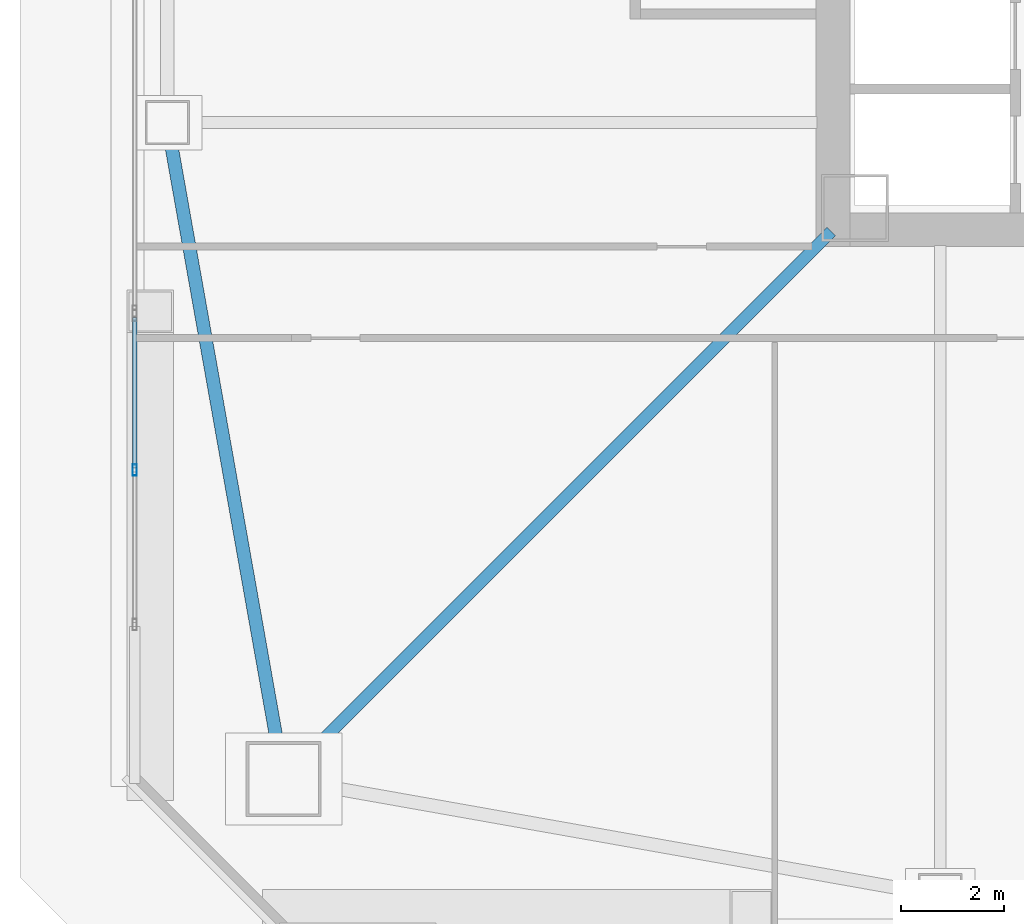
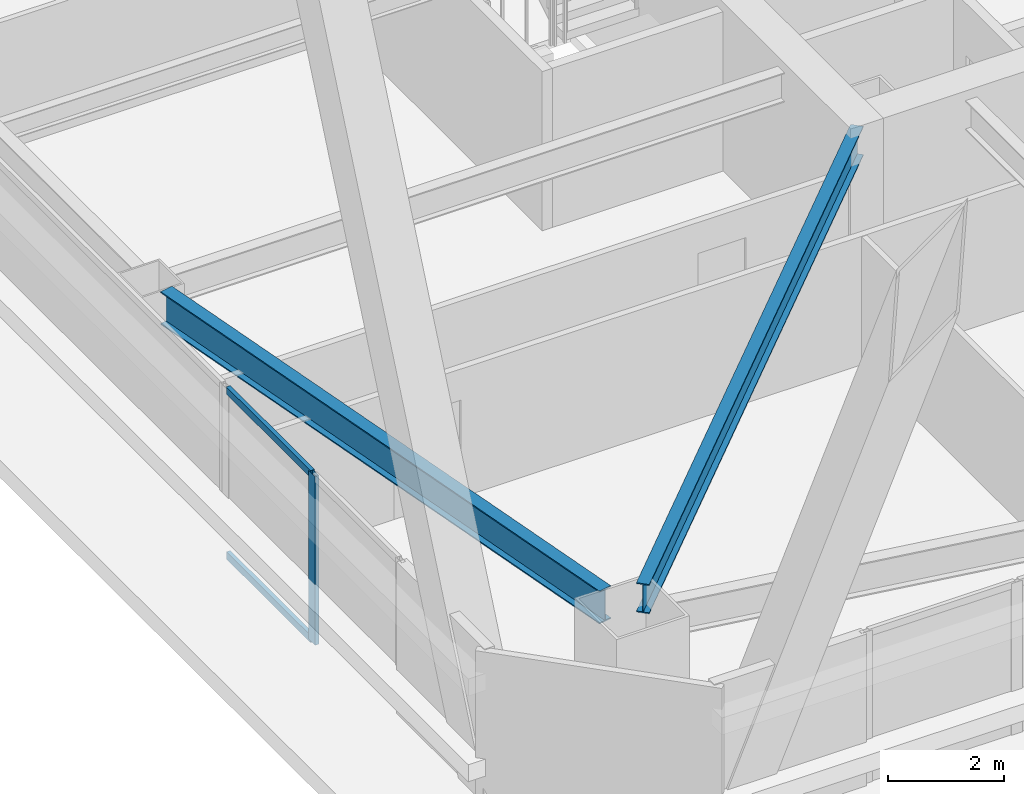
# One storey, part 7 of 67: 3 members, 2 beams, 1 element without a shape of its own.
"""IFC4 building model written with IfcOpenShell, lengths in metres."""

from ifc_helpers import new_model, si_unit, direction, frame, origin, origin_2d, place, context, subcontext, project, spatial, hollow_rectangle, i_section, extrude, material, material_profile, profile_set, type_object, element, aggregate, save


model = new_model("IFC4")

# Units and contexts
model_context = context("Model", 3, precision=1e-05, world=origin(), true_north=direction((0.0, 1.0)))
body_context = subcontext(model_context, "Body", "Model", "MODEL_VIEW")
ifc_project = project(units=[si_unit("LENGTHUNIT", "METRE"), si_unit("AREAUNIT", "SQUARE_METRE"), si_unit("VOLUMEUNIT", "CUBIC_METRE"), si_unit("PLANEANGLEUNIT", "RADIAN"), si_unit("MASSUNIT", "GRAM", prefix="KILO")], contexts=[model_context])

# Site, building, storey
site_placement = place(None, origin())
site = spatial("IfcSite", under=ifc_project, at=site_placement, CompositionType="ELEMENT")
building_placement = place(site_placement, origin())
building = spatial("IfcBuilding", under=site, at=building_placement, Name="Tashvorn Skyway Center", CompositionType="ELEMENT")
storey_placement = place(building_placement, frame((0.0, 0.0, 67.199951171875)))
storey = spatial("IfcBuildingStorey", under=building, at=storey_placement, Name="L17", CompositionType="ELEMENT", Elevation=67.199951171875)

# Beams
ifc_material_1 = material(Name="Steel ASTM A992 Grade 50", Category="steel")
ifc_material_profile_1 = material_profile(ifc_material_1, i_section(OverallWidth=0.22998046875, OverallDepth=0.616943359375, WebThickness=0.01318359375, FlangeThickness=0.022216796875, at=origin_2d()), Name="W24X94")
ifc_profile_set_1 = profile_set([ifc_material_profile_1], Name="Steel ASTM A992 Grade 50")
beam_type_1 = type_object("IfcBeamType", Name="BM-BEAM-W24X94", PredefinedType="BEAM", material=ifc_profile_set_1)
beam_1_placement = place(storey_placement, frame((24.4091796875, 14.4091796875, 3.04150390625), z_axis=(0.707106781187, 0.707106781187, 0.0), x_axis=(-0.707106781187, 0.707106781187, 0.0)))
element("IfcBeam", 1, at=beam_1_placement, inside=storey, type_object=beam_type_1, Name="Tower 1 L17 Primary Floor Girder MC-SW", PredefinedType="BEAM", context=body_context, shape_type="SweptSolid", body=[
    extrude(i_section(OverallWidth=0.22998046875, OverallDepth=0.616943359375, WebThickness=0.01318359375, FlangeThickness=0.022216796875, at=origin_2d()), origin(), (0.0, 0.0, 1.0), 14.261962890625),
])
ifc_material_profile_2 = material_profile(ifc_material_1, i_section(OverallWidth=0.256103515625, OverallDepth=0.693115234375, WebThickness=0.014404296875, FlangeThickness=0.023681640625, at=origin_2d()), Name="W27X114")
ifc_profile_set_2 = profile_set([ifc_material_profile_2], Name="Steel ASTM A992 Grade 50")
beam_type_2 = type_object("IfcBeamType", Name="BM-SPANDREL-W27X114", PredefinedType="SPANDREL", material=ifc_profile_set_2)
beam_2_placement = place(storey_placement, frame((21.723388671875, 26.1865234375, 3.003662109375), z_axis=(0.174437966698, -0.98466816531, 0.0), x_axis=(0.98466816531, 0.174437966698, 0.0)))
element("IfcBeam", 2, at=beam_2_placement, inside=storey, type_object=beam_type_2, Name="Tower 1 L17 Spandrel Beam 12", PredefinedType="SPANDREL", context=body_context, shape_type="SweptSolid", body=[
    extrude(i_section(OverallWidth=0.256103515625, OverallDepth=0.693115234375, WebThickness=0.014404296875, FlangeThickness=0.023681640625, at=origin_2d()), origin(), (0.0, 0.0, 1.0), 11.7578125),
])

# Curtain wall, members
ifc_material_2 = material(Name="Thermally broken bronze-anodized aluminium 6063-T6", Category="aluminium")
curtain_wall_type = type_object("IfcCurtainWallType", Name="CW-CW-Z2", PredefinedType="NOTDEFINED", material=ifc_material_2)
curtain_wall_placement = place(storey_placement, origin())
curtain_wall = element("IfcCurtainWall", 3, at=curtain_wall_placement, inside=storey, type_object=curtain_wall_type, Name="Tower 1 L17 West Unitised Curtain Wall Glazing Group 1", PredefinedType="NOTDEFINED")
ifc_material_profile_3 = material_profile(ifc_material_2, hollow_rectangle(XDim=0.080078125, YDim=0.219970703125, WallThickness=0.0048828125, at=origin_2d()), Name="ALU-MULL-80x220")
ifc_profile_set_3 = profile_set([ifc_material_profile_3], Name="Thermally broken bronze-anodized aluminium 6063-T6")
member_type_1 = type_object("IfcMemberType", Name="CWM-CW-Z2", PredefinedType="MULLION", material=ifc_profile_set_3)
member_1_placement = place(storey_placement, frame((21.02001953125, 19.8798828125, 0.0), z_axis=(0.0, 0.0, 1.0), x_axis=(-1.0, 0.0, 0.0)))
member_1 = element("IfcMember", 4, at=member_1_placement, type_object=member_type_1, Name="CW-Z2 mullion 2", PredefinedType="MULLION", context=body_context, shape_type="SweptSolid", body=[
    extrude(hollow_rectangle(XDim=0.080078125, YDim=0.219970703125, WallThickness=0.0048828125, at=origin_2d()), origin(), (0.0, 0.0, 1.0), 3.550048828125),
])
ifc_material_profile_4 = material_profile(ifc_material_2, hollow_rectangle(XDim=0.080078125, YDim=0.14990234375, WallThickness=0.00439453125, at=origin_2d()), Name="ALU-TRAN-80x150")
ifc_profile_set_4 = profile_set([ifc_material_profile_4], Name="Thermally broken bronze-anodized aluminium 6063-T6")
member_type_2 = type_object("IfcMemberType", Name="CWT-CW-Z2", PredefinedType="USERDEFINED", material=ifc_profile_set_4)
member_2_placement = place(storey_placement, frame((21.02001953125, 19.919921875, 0.0400390625), z_axis=(0.0, 1.0, 0.0), x_axis=(-1.0, 0.0, 0.0)))
member_2 = element("IfcMember", 5, at=member_2_placement, type_object=member_type_2, Name="CW-Z2 transom 2.1", ObjectType="TRANSOM", PredefinedType="USERDEFINED", context=body_context, shape_type="SweptSolid", body=[
    extrude(hollow_rectangle(XDim=0.080078125, YDim=0.14990234375, WallThickness=0.00439453125, at=origin_2d()), origin(), (0.0, 0.0, 1.0), 2.91015625),
])
member_3_placement = place(storey_placement, frame((21.02001953125, 19.919921875, 3.510009765625), z_axis=(0.0, 1.0, 0.0), x_axis=(-1.0, 0.0, 0.0)))
member_3 = element("IfcMember", 6, at=member_3_placement, type_object=member_type_2, Name="CW-Z2 transom 2.2", ObjectType="TRANSOM", PredefinedType="USERDEFINED", context=body_context, shape_type="SweptSolid", body=[
    extrude(hollow_rectangle(XDim=0.080078125, YDim=0.14990234375, WallThickness=0.00439453125, at=origin_2d()), origin(), (0.0, 0.0, 1.0), 2.91015625),
])
aggregate(curtain_wall, [member_1, member_2, member_3])

save(model, "model.ifc")
